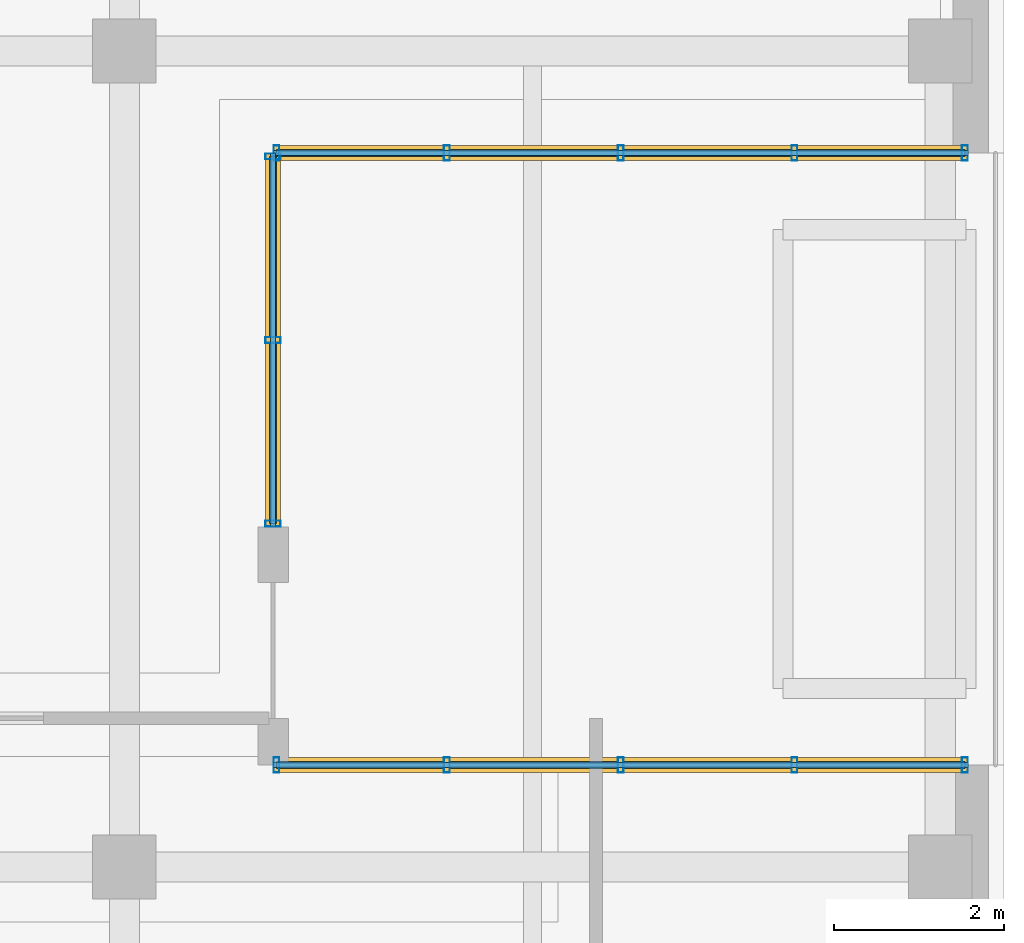
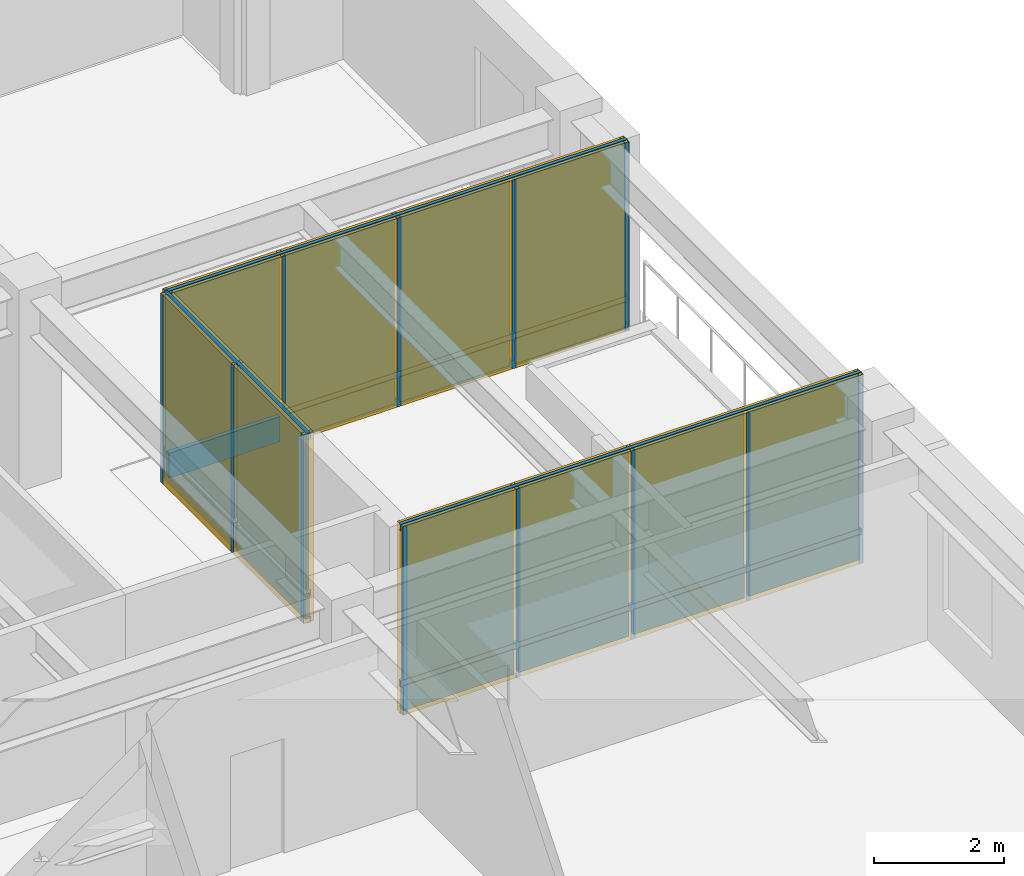
# One storey, part 9 of 13: 22 members, 20 plates, 3 curtain walls.
"""IFC4 building model written with IfcOpenShell, lengths in metres."""

import ifcopenshell
import ifcopenshell.guid

model = None  # the IFC model being written
_history = None  # IfcOwnerHistory: only IFC2X3 demands one
_inside = {}  # id of a spatial element -> (the spatial element, [elements in it])
_under = {}  # id of a project, library or spatial element -> (it, [spatial elements below it])
_declared = {}  # id of a project -> (the project, [libraries it declares])
_typed = {}  # id of a type object -> (the type object, [elements of that type])
_made_of = {}  # id of a material, layer set ... -> (it, [elements and type objects made of it])


def new_model(schema):
    """Start an empty IFC model of exactly this schema.

    Asked for "IFC4X3", IfcOpenShell would pick the latest addendum, in which some entities
    have other attributes; the version numbers below select the first issue.
    IFC2X3 requires an IfcOwnerHistory on every rooted entity: one is made here for all.
    """
    global model, _history
    if schema == "IFC4X3":
        model = ifcopenshell.file(schema_version=(4, 3, 0, 0))
    else:
        model = ifcopenshell.file(schema=schema)
    _inside.clear()
    _under.clear()
    _declared.clear()
    _typed.clear()
    _made_of.clear()
    _history = None
    if model.schema == "IFC2X3":
        org = make("IfcOrganization", Name="unknown")
        user = make(
            "IfcPersonAndOrganization",
            ThePerson=make("IfcPerson", FamilyName="unknown"),
            TheOrganization=org,
        )
        app = make(
            "IfcApplication",
            ApplicationDeveloper=org,
            Version="unknown",
            ApplicationFullName="unknown",
            ApplicationIdentifier="unknown",
        )
        _history = make(
            "IfcOwnerHistory",
            OwningUser=user,
            OwningApplication=app,
            ChangeAction="ADDED",
            CreationDate=0,
        )
    return model


def make(cls, **values):
    """One entity of the class cls with the attributes given. An attribute that is None is left unset."""
    return model.create_entity(
        cls, **{name: value for name, value in values.items() if value is not None}
    )


def rooted(cls, **values):
    """An entity with a GlobalId (a new one), such as an element, a storey or a relation."""
    return make(cls, GlobalId=ifcopenshell.guid.new(), OwnerHistory=_history, **values)


def si_unit(unit_type, name, prefix=None):
    """IfcSIUnit, for example si_unit("LENGTHUNIT", "METRE", prefix="MILLI")."""
    return make("IfcSIUnit", UnitType=unit_type, Prefix=prefix, Name=name)


def assignment(units):
    """IfcUnitAssignment: the units of a project."""
    return None if units is None else make("IfcUnitAssignment", Units=units)


def point(xyz):
    """IfcCartesianPoint."""
    return None if xyz is None else make("IfcCartesianPoint", Coordinates=xyz)


def direction(xyz):
    """IfcDirection."""
    return None if xyz is None else make("IfcDirection", DirectionRatios=xyz)


def frame(location, z_axis=None, x_axis=None):
    """IfcAxis2Placement3D, a coordinate frame: its origin and axes. An axis left out is left unset."""
    return make(
        "IfcAxis2Placement3D",
        Location=point(location),
        Axis=direction(z_axis),
        RefDirection=direction(x_axis),
    )


def frame_2d(location, x_axis=None):
    """IfcAxis2Placement2D, a coordinate frame in the plane: its origin and x axis."""
    return make(
        "IfcAxis2Placement2D", Location=point(location), RefDirection=direction(x_axis)
    )


def origin():
    """The frame at (0, 0, 0) with its axes left unset."""
    return frame((0.0, 0.0, 0.0))


def origin_2d():
    """The frame at (0, 0) in the plane with its x axis left unset."""
    return frame_2d((0.0, 0.0))


def place(relative_to, where):
    """IfcLocalPlacement: puts the frame where relative to a parent placement (None: the world)."""
    return make(
        "IfcLocalPlacement", PlacementRelTo=relative_to, RelativePlacement=where
    )


def context(
    kind, dimensions, precision=None, world=None, true_north=None, identifier=None
):
    """IfcGeometricRepresentationContext, for example the 3D "Model" context."""
    return make(
        "IfcGeometricRepresentationContext",
        ContextIdentifier=identifier,
        ContextType=kind,
        CoordinateSpaceDimension=dimensions,
        Precision=precision,
        WorldCoordinateSystem=world,
        TrueNorth=true_north,
    )


def subcontext(parent, identifier, kind, view, scale=None):
    """IfcGeometricRepresentationSubContext, for example "Body" below "Model"."""
    return make(
        "IfcGeometricRepresentationSubContext",
        ContextIdentifier=identifier,
        ContextType=kind,
        ParentContext=parent,
        TargetScale=scale,
        TargetView=view,
    )


def project(units=None, contexts=None):
    """IfcProject with its units and contexts."""
    return rooted(
        "IfcProject",
        Name="project",
        RepresentationContexts=contexts,
        UnitsInContext=assignment(units),
    )


def spatial(cls, under=None, at=None, **own):
    """A site, building, storey or space (cls), placed at a placement, below another one or the project."""
    s = rooted(cls, ObjectPlacement=at, **own)
    if under is not None:
        _under.setdefault(under.id(), (under, []))[1].append(s)
    return s


def profile(cls, at=None, kind="AREA", **sizes):
    """A parametric profile (cls). Its sizes go by their IFC names, for example OverallWidth=200.0."""
    return make(cls, ProfileType=kind, Position=at, **sizes)


def rectangle(**sizes):
    """IfcRectangleProfileDef."""
    return profile("IfcRectangleProfileDef", **sizes)


def hollow_rectangle(**sizes):
    """IfcRectangleHollowProfileDef."""
    return profile("IfcRectangleHollowProfileDef", **sizes)


def extrude(swept, where, along, depth):
    """IfcExtrudedAreaSolid: the profile swept, set in the frame where, extruded along a direction by depth."""
    return make(
        "IfcExtrudedAreaSolid",
        SweptArea=swept,
        Position=where,
        ExtrudedDirection=direction(along),
        Depth=depth,
    )


def shape(context_of_items, identifier, shape_type, items):
    """IfcShapeRepresentation: the items that make up one representation, for example the "Body"."""
    return make(
        "IfcShapeRepresentation",
        ContextOfItems=context_of_items,
        RepresentationIdentifier=identifier,
        RepresentationType=shape_type,
        Items=items,
    )


def material(Name=None, Category=None):
    """IfcMaterial."""
    return make("IfcMaterial", Name=Name, Category=Category)


def layer(
    of_material, thickness, ventilated=None, Name=None, Category=None, Priority=None
):
    """IfcMaterialLayer: one layer of a wall or slab, of a material (None: an air gap)."""
    return make(
        "IfcMaterialLayer",
        Material=of_material,
        LayerThickness=thickness,
        IsVentilated=ventilated,
        Name=Name,
        Category=Category,
        Priority=Priority,
    )


def layer_set(layers, Name=None):
    """IfcMaterialLayerSet."""
    return make("IfcMaterialLayerSet", MaterialLayers=layers, LayerSetName=Name)


def material_profile(
    of_material, cross_section, Name=None, Category=None, Priority=None
):
    """IfcMaterialProfile: a cross section and its material."""
    return make(
        "IfcMaterialProfile",
        Name=Name,
        Material=of_material,
        Profile=cross_section,
        Priority=Priority,
        Category=Category,
    )


def profile_set(profiles, Name=None, composite=None):
    """IfcMaterialProfileSet."""
    return make(
        "IfcMaterialProfileSet",
        Name=Name,
        MaterialProfiles=profiles,
        CompositeProfile=composite,
    )


def made_of(thing, what):
    """Note that an element or type object is made of a material, layer set ...; save() writes the relation."""
    if what is not None:
        _made_of.setdefault(what.id(), (what, []))[1].append(thing)
    return thing


def type_object(cls, material=None, **own):
    """A type object (cls), such as IfcWallType, which elements share."""
    return made_of(rooted(cls, **own), material)


def element(
    cls,
    number,
    at=None,
    inside=None,
    cuts=None,
    type_object=None,
    material=None,
    context=None,
    identifier="Body",
    shape_type=None,
    held_by="IfcProductDefinitionShape",
    body=None,
    shapes=None,
    **own,
):
    """One element of the class cls, such as IfcWall. Its Tag is "e" and its number.

    at: its placement. inside: the storey or other place that contains it. cuts: it is an
    opening in that element (IfcRelVoidsElement). A single representation is given by context,
    identifier, shape_type and body (its items); several are given by shapes. held_by: the class
    of the entity that holds the representations. save() writes the other relations.
    """
    e = rooted(cls, Tag="e%d" % number, ObjectPlacement=at, **own)
    if body is not None:
        shapes = [shape(context, identifier, shape_type, body)]
    if shapes is not None:
        e.Representation = make(held_by, Representations=shapes)
    if inside is not None:
        _inside.setdefault(inside.id(), (inside, []))[1].append(e)
    if cuts is not None:
        rooted(
            "IfcRelVoidsElement", RelatingBuildingElement=cuts, RelatedOpeningElement=e
        )
    if type_object is not None:
        _typed.setdefault(type_object.id(), (type_object, []))[1].append(e)
    return made_of(e, material)


def aggregate(whole, parts):
    """IfcRelAggregates: a whole, such as a stair, and the parts it consists of."""
    return rooted("IfcRelAggregates", RelatingObject=whole, RelatedObjects=parts)


def save(model, path):
    """Write the relations noted so far, then the file.

    IfcRelAggregates (storeys below a building ...), IfcRelContainedInSpatialStructure (elements
    in a storey), IfcRelDefinesByType, IfcRelAssociatesMaterial and IfcRelDeclares: one each for
    every whole, place, type object, material and project.
    """
    for whole, parts in _under.values():
        aggregate(whole, parts)
    for where, things in _inside.values():
        rooted(
            "IfcRelContainedInSpatialStructure",
            RelatedElements=things,
            RelatingStructure=where,
        )
    for kind, things in _typed.values():
        rooted("IfcRelDefinesByType", RelatedObjects=things, RelatingType=kind)
    for what, things in _made_of.values():
        rooted("IfcRelAssociatesMaterial", RelatedObjects=things, RelatingMaterial=what)
    for by, libraries in _declared.values():
        rooted("IfcRelDeclares", RelatingContext=by, RelatedDefinitions=libraries)
    model.write(path)


model = new_model("IFC4")

# Units and contexts
model_context = context("Model", 3, precision=1e-05, world=origin(), true_north=direction((0.0, 1.0)))
body_context = subcontext(model_context, "Body", "Model", "MODEL_VIEW")
ifc_project = project(units=[si_unit("LENGTHUNIT", "METRE"), si_unit("AREAUNIT", "SQUARE_METRE"), si_unit("VOLUMEUNIT", "CUBIC_METRE"), si_unit("PLANEANGLEUNIT", "RADIAN"), si_unit("MASSUNIT", "GRAM", prefix="KILO")], contexts=[model_context])

# Member
ifc_material_1 = material(Name="Anodized Aluminium 6063-T6", Category="aluminium")
ifc_material_profile_1 = material_profile(ifc_material_1, hollow_rectangle(XDim=0.070068359375, YDim=0.179931640625, WallThickness=0.00390625, at=origin_2d()), Name="Anodized Aluminium 6063-T6")
ifc_profile_set_1 = profile_set([ifc_material_profile_1], Name="Anodized Aluminium 6063-T6")
member_type_1 = type_object("IfcMemberType", Name="Curtain Wall Mullion 180", PredefinedType="MULLION", material=ifc_profile_set_1)
site_placement = place(None, origin())
building_placement = place(site_placement, origin())
storey_placement = place(building_placement, frame((0.0, 0.0, 277.199951171875)))
member_1_placement = place(storey_placement, frame((39.43994140625, 27.60009765625, 0.0), z_axis=(0.0, 0.0, 1.0), x_axis=(1.0, 0.0, 0.0)))
member_1 = element("IfcMember", 1, at=member_1_placement, type_object=member_type_1, Name="Curtain Wall Mullion CW-L70-SGN-M01", PredefinedType="MULLION", context=body_context, shape_type="SweptSolid", body=[
    extrude(hollow_rectangle(XDim=0.070068359375, YDim=0.179931640625, WallThickness=0.00390625, at=origin_2d()), origin(), (0.0, 0.0, 1.0), 3.5400390625),
])

member_2_placement = place(storey_placement, frame((41.445068359375, 27.60009765625, 0.0), z_axis=(0.0, 0.0, 1.0), x_axis=(1.0, 0.0, 0.0)))
member_2 = element("IfcMember", 2, at=member_2_placement, type_object=member_type_1, Name="Curtain Wall Mullion CW-L70-SGN-M02", PredefinedType="MULLION", context=body_context, shape_type="SweptSolid", body=[
    extrude(hollow_rectangle(XDim=0.070068359375, YDim=0.179931640625, WallThickness=0.00390625, at=origin_2d()), origin(), (0.0, 0.0, 1.0), 3.5400390625),
])

member_3_placement = place(storey_placement, frame((43.489990234375, 27.60009765625, 0.0), z_axis=(0.0, 0.0, 1.0), x_axis=(1.0, 0.0, 0.0)))
member_3 = element("IfcMember", 3, at=member_3_placement, type_object=member_type_1, Name="Curtain Wall Mullion CW-L70-SGN-M03", PredefinedType="MULLION", context=body_context, shape_type="SweptSolid", body=[
    extrude(hollow_rectangle(XDim=0.070068359375, YDim=0.179931640625, WallThickness=0.00390625, at=origin_2d()), origin(), (0.0, 0.0, 1.0), 3.5400390625),
])

member_4_placement = place(storey_placement, frame((45.534912109375, 27.60009765625, 0.0), z_axis=(0.0, 0.0, 1.0), x_axis=(1.0, 0.0, 0.0)))
member_4 = element("IfcMember", 4, at=member_4_placement, type_object=member_type_1, Name="Curtain Wall Mullion CW-L70-SGN-M04", PredefinedType="MULLION", context=body_context, shape_type="SweptSolid", body=[
    extrude(hollow_rectangle(XDim=0.070068359375, YDim=0.179931640625, WallThickness=0.00390625, at=origin_2d()), origin(), (0.0, 0.0, 1.0), 3.5400390625),
])

member_5_placement = place(storey_placement, frame((47.5400390625, 27.60009765625, 0.0), z_axis=(0.0, 0.0, 1.0), x_axis=(1.0, 0.0, 0.0)))
member_5 = element("IfcMember", 5, at=member_5_placement, type_object=member_type_1, Name="Curtain Wall Mullion CW-L70-SGN-M05", PredefinedType="MULLION", context=body_context, shape_type="SweptSolid", body=[
    extrude(hollow_rectangle(XDim=0.070068359375, YDim=0.179931640625, WallThickness=0.00390625, at=origin_2d()), origin(), (0.0, 0.0, 1.0), 3.5400390625),
])

member_6_placement = place(storey_placement, frame((39.43994140625, 20.39990234375, 0.0), z_axis=(0.0, 0.0, 1.0), x_axis=(1.0, 0.0, 0.0)))
member_6 = element("IfcMember", 6, at=member_6_placement, type_object=member_type_1, Name="Curtain Wall Mullion CW-L70-SGS-M01", PredefinedType="MULLION", context=body_context, shape_type="SweptSolid", body=[
    extrude(hollow_rectangle(XDim=0.070068359375, YDim=0.179931640625, WallThickness=0.00390625, at=origin_2d()), origin(), (0.0, 0.0, 1.0), 3.5400390625),
])

member_7_placement = place(storey_placement, frame((41.445068359375, 20.39990234375, 0.0), z_axis=(0.0, 0.0, 1.0), x_axis=(1.0, 0.0, 0.0)))
member_7 = element("IfcMember", 7, at=member_7_placement, type_object=member_type_1, Name="Curtain Wall Mullion CW-L70-SGS-M02", PredefinedType="MULLION", context=body_context, shape_type="SweptSolid", body=[
    extrude(hollow_rectangle(XDim=0.070068359375, YDim=0.179931640625, WallThickness=0.00390625, at=origin_2d()), origin(), (0.0, 0.0, 1.0), 3.5400390625),
])

member_8_placement = place(storey_placement, frame((43.489990234375, 20.39990234375, 0.0), z_axis=(0.0, 0.0, 1.0), x_axis=(1.0, 0.0, 0.0)))
member_8 = element("IfcMember", 8, at=member_8_placement, type_object=member_type_1, Name="Curtain Wall Mullion CW-L70-SGS-M03", PredefinedType="MULLION", context=body_context, shape_type="SweptSolid", body=[
    extrude(hollow_rectangle(XDim=0.070068359375, YDim=0.179931640625, WallThickness=0.00390625, at=origin_2d()), origin(), (0.0, 0.0, 1.0), 3.5400390625),
])

member_9_placement = place(storey_placement, frame((45.534912109375, 20.39990234375, 0.0), z_axis=(0.0, 0.0, 1.0), x_axis=(1.0, 0.0, 0.0)))
member_9 = element("IfcMember", 9, at=member_9_placement, type_object=member_type_1, Name="Curtain Wall Mullion CW-L70-SGS-M04", PredefinedType="MULLION", context=body_context, shape_type="SweptSolid", body=[
    extrude(hollow_rectangle(XDim=0.070068359375, YDim=0.179931640625, WallThickness=0.00390625, at=origin_2d()), origin(), (0.0, 0.0, 1.0), 3.5400390625),
])

member_10_placement = place(storey_placement, frame((47.5400390625, 20.39990234375, 0.0), z_axis=(0.0, 0.0, 1.0), x_axis=(1.0, 0.0, 0.0)))
member_10 = element("IfcMember", 10, at=member_10_placement, type_object=member_type_1, Name="Curtain Wall Mullion CW-L70-SGS-M05", PredefinedType="MULLION", context=body_context, shape_type="SweptSolid", body=[
    extrude(hollow_rectangle(XDim=0.070068359375, YDim=0.179931640625, WallThickness=0.00390625, at=origin_2d()), origin(), (0.0, 0.0, 1.0), 3.5400390625),
])

member_11_placement = place(storey_placement, frame((39.39990234375, 23.239990234375, 0.0), z_axis=(0.0, 0.0, 1.0), x_axis=(0.0, 1.0, 0.0)))
member_11 = element("IfcMember", 11, at=member_11_placement, type_object=member_type_1, Name="Curtain Wall Mullion CW-L70-SGW-M01", PredefinedType="MULLION", context=body_context, shape_type="SweptSolid", body=[
    extrude(hollow_rectangle(XDim=0.070068359375, YDim=0.179931640625, WallThickness=0.00390625, at=origin_2d()), origin(), (0.0, 0.0, 1.0), 3.5400390625),
])

member_12_placement = place(storey_placement, frame((39.39990234375, 25.39990234375, 0.0), z_axis=(0.0, 0.0, 1.0), x_axis=(0.0, 1.0, 0.0)))
member_12 = element("IfcMember", 12, at=member_12_placement, type_object=member_type_1, Name="Curtain Wall Mullion CW-L70-SGW-M02", PredefinedType="MULLION", context=body_context, shape_type="SweptSolid", body=[
    extrude(hollow_rectangle(XDim=0.070068359375, YDim=0.179931640625, WallThickness=0.00390625, at=origin_2d()), origin(), (0.0, 0.0, 1.0), 3.5400390625),
])

member_13_placement = place(storey_placement, frame((39.39990234375, 27.56005859375, 0.0), z_axis=(0.0, 0.0, 1.0), x_axis=(0.0, 1.0, 0.0)))
member_13 = element("IfcMember", 13, at=member_13_placement, type_object=member_type_1, Name="Curtain Wall Mullion CW-L70-SGW-M03", PredefinedType="MULLION", context=body_context, shape_type="SweptSolid", body=[
    extrude(hollow_rectangle(XDim=0.070068359375, YDim=0.179931640625, WallThickness=0.00390625, at=origin_2d()), origin(), (0.0, 0.0, 1.0), 3.5400390625),
])

ifc_material_profile_2 = material_profile(ifc_material_1, hollow_rectangle(XDim=0.06005859375, YDim=0.1201171875, WallThickness=0.00341796875, at=origin_2d()), Name="Anodized Aluminium 6063-T6")
ifc_profile_set_2 = profile_set([ifc_material_profile_2], Name="Anodized Aluminium 6063-T6")
member_type_2 = type_object("IfcMemberType", Name="Curtain Wall Transom 120", PredefinedType="USERDEFINED", material=ifc_profile_set_2)
member_14_placement = place(storey_placement, frame((39.39990234375, 27.60009765625, 0.050048828125), z_axis=(1.0, 0.0, 0.0), x_axis=(0.0, 1.0, 0.0)))
member_14 = element("IfcMember", 14, at=member_14_placement, type_object=member_type_2, Name="Curtain Wall Transom CW-L70-SGN-T01", ObjectType="TRANSOM", PredefinedType="USERDEFINED", context=body_context, shape_type="SweptSolid", body=[
    extrude(hollow_rectangle(XDim=0.06005859375, YDim=0.1201171875, WallThickness=0.00341796875, at=origin_2d()), origin(), (0.0, 0.0, 1.0), 8.18017578125),
])

member_15_placement = place(storey_placement, frame((39.39990234375, 27.60009765625, 0.550048828125), z_axis=(1.0, 0.0, 0.0), x_axis=(0.0, 1.0, 0.0)))
member_15 = element("IfcMember", 15, at=member_15_placement, type_object=member_type_2, Name="Curtain Wall Transom CW-L70-SGN-T02", ObjectType="TRANSOM", PredefinedType="USERDEFINED", context=body_context, shape_type="SweptSolid", body=[
    extrude(hollow_rectangle(XDim=0.06005859375, YDim=0.1201171875, WallThickness=0.00341796875, at=origin_2d()), origin(), (0.0, 0.0, 1.0), 8.18017578125),
])

member_16_placement = place(storey_placement, frame((39.39990234375, 27.60009765625, 3.489990234375), z_axis=(1.0, 0.0, 0.0), x_axis=(0.0, 1.0, 0.0)))
member_16 = element("IfcMember", 16, at=member_16_placement, type_object=member_type_2, Name="Curtain Wall Transom CW-L70-SGN-T03", ObjectType="TRANSOM", PredefinedType="USERDEFINED", context=body_context, shape_type="SweptSolid", body=[
    extrude(hollow_rectangle(XDim=0.06005859375, YDim=0.1201171875, WallThickness=0.00341796875, at=origin_2d()), origin(), (0.0, 0.0, 1.0), 8.18017578125),
])

member_17_placement = place(storey_placement, frame((39.39990234375, 20.39990234375, 0.050048828125), z_axis=(1.0, 0.0, 0.0), x_axis=(0.0, 1.0, 0.0)))
member_17 = element("IfcMember", 17, at=member_17_placement, type_object=member_type_2, Name="Curtain Wall Transom CW-L70-SGS-T01", ObjectType="TRANSOM", PredefinedType="USERDEFINED", context=body_context, shape_type="SweptSolid", body=[
    extrude(hollow_rectangle(XDim=0.06005859375, YDim=0.1201171875, WallThickness=0.00341796875, at=origin_2d()), origin(), (0.0, 0.0, 1.0), 8.18017578125),
])

member_18_placement = place(storey_placement, frame((39.39990234375, 20.39990234375, 0.550048828125), z_axis=(1.0, 0.0, 0.0), x_axis=(0.0, 1.0, 0.0)))
member_18 = element("IfcMember", 18, at=member_18_placement, type_object=member_type_2, Name="Curtain Wall Transom CW-L70-SGS-T02", ObjectType="TRANSOM", PredefinedType="USERDEFINED", context=body_context, shape_type="SweptSolid", body=[
    extrude(hollow_rectangle(XDim=0.06005859375, YDim=0.1201171875, WallThickness=0.00341796875, at=origin_2d()), origin(), (0.0, 0.0, 1.0), 8.18017578125),
])

member_19_placement = place(storey_placement, frame((39.39990234375, 20.39990234375, 3.489990234375), z_axis=(1.0, 0.0, 0.0), x_axis=(0.0, 1.0, 0.0)))
member_19 = element("IfcMember", 19, at=member_19_placement, type_object=member_type_2, Name="Curtain Wall Transom CW-L70-SGS-T03", ObjectType="TRANSOM", PredefinedType="USERDEFINED", context=body_context, shape_type="SweptSolid", body=[
    extrude(hollow_rectangle(XDim=0.06005859375, YDim=0.1201171875, WallThickness=0.00341796875, at=origin_2d()), origin(), (0.0, 0.0, 1.0), 8.18017578125),
])

member_20_placement = place(storey_placement, frame((39.39990234375, 23.199951171875, 0.050048828125), z_axis=(0.0, 1.0, 0.0), x_axis=(-1.0, 0.0, 0.0)))
member_20 = element("IfcMember", 20, at=member_20_placement, type_object=member_type_2, Name="Curtain Wall Transom CW-L70-SGW-T01", ObjectType="TRANSOM", PredefinedType="USERDEFINED", context=body_context, shape_type="SweptSolid", body=[
    extrude(hollow_rectangle(XDim=0.06005859375, YDim=0.1201171875, WallThickness=0.00341796875, at=origin_2d()), origin(), (0.0, 0.0, 1.0), 4.400146484375),
])

member_21_placement = place(storey_placement, frame((39.39990234375, 23.199951171875, 0.550048828125), z_axis=(0.0, 1.0, 0.0), x_axis=(-1.0, 0.0, 0.0)))
member_21 = element("IfcMember", 21, at=member_21_placement, type_object=member_type_2, Name="Curtain Wall Transom CW-L70-SGW-T02", ObjectType="TRANSOM", PredefinedType="USERDEFINED", context=body_context, shape_type="SweptSolid", body=[
    extrude(hollow_rectangle(XDim=0.06005859375, YDim=0.1201171875, WallThickness=0.00341796875, at=origin_2d()), origin(), (0.0, 0.0, 1.0), 4.400146484375),
])

member_22_placement = place(storey_placement, frame((39.39990234375, 23.199951171875, 3.489990234375), z_axis=(0.0, 1.0, 0.0), x_axis=(-1.0, 0.0, 0.0)))
member_22 = element("IfcMember", 22, at=member_22_placement, type_object=member_type_2, Name="Curtain Wall Transom CW-L70-SGW-T03", ObjectType="TRANSOM", PredefinedType="USERDEFINED", context=body_context, shape_type="SweptSolid", body=[
    extrude(hollow_rectangle(XDim=0.06005859375, YDim=0.1201171875, WallThickness=0.00341796875, at=origin_2d()), origin(), (0.0, 0.0, 1.0), 4.400146484375),
])

# Plate
ifc_material_2 = material(Name="Bird-Friendly Fritted Triple Glazing", Category="glass")
ifc_layer_1 = layer(ifc_material_2, 0.052001953125, Name="Bird-Friendly Fritted Triple Glazing")
ifc_layer_set_1 = layer_set([ifc_layer_1], Name="Bird-Friendly Fritted Triple Glazing")
plate_type_1 = type_object("IfcPlateType", Name="Plate CWGlazing 52", PredefinedType="CURTAIN_PANEL", material=ifc_layer_set_1)
plate_1_placement = place(storey_placement, frame((40.422607421875, 27.60009765625, 0.59033203125), z_axis=(0.0, 0.0, 1.0), x_axis=(1.0, 0.0, 0.0)))
plate_1 = element("IfcPlate", 23, at=plate_1_placement, type_object=plate_type_1, Name="Vision Glazing Panel CW-L70-SGN-GL01", PredefinedType="CURTAIN_PANEL", context=body_context, shape_type="SweptSolid", body=[
    extrude(rectangle(XDim=1.965087890625, YDim=0.052001953125, at=origin_2d()), origin(), (0.0, 0.0, 1.0), 2.909912109375),
])

plate_2_placement = place(storey_placement, frame((42.467529296875, 27.60009765625, 0.59033203125), z_axis=(0.0, 0.0, 1.0), x_axis=(1.0, 0.0, 0.0)))
plate_2 = element("IfcPlate", 24, at=plate_2_placement, type_object=plate_type_1, Name="Vision Glazing Panel CW-L70-SGN-GL02", PredefinedType="CURTAIN_PANEL", context=body_context, shape_type="SweptSolid", body=[
    extrude(rectangle(XDim=1.965087890625, YDim=0.052001953125, at=origin_2d()), origin(), (0.0, 0.0, 1.0), 2.909912109375),
])

plate_3_placement = place(storey_placement, frame((44.512451171875, 27.60009765625, 0.59033203125), z_axis=(0.0, 0.0, 1.0), x_axis=(1.0, 0.0, 0.0)))
plate_3 = element("IfcPlate", 25, at=plate_3_placement, type_object=plate_type_1, Name="Vision Glazing Panel CW-L70-SGN-GL03", PredefinedType="CURTAIN_PANEL", context=body_context, shape_type="SweptSolid", body=[
    extrude(rectangle(XDim=1.965087890625, YDim=0.052001953125, at=origin_2d()), origin(), (0.0, 0.0, 1.0), 2.909912109375),
])

plate_4_placement = place(storey_placement, frame((46.5576171875, 27.60009765625, 0.59033203125), z_axis=(0.0, 0.0, 1.0), x_axis=(1.0, 0.0, 0.0)))
plate_4 = element("IfcPlate", 26, at=plate_4_placement, type_object=plate_type_1, Name="Vision Glazing Panel CW-L70-SGN-GL04", PredefinedType="CURTAIN_PANEL", context=body_context, shape_type="SweptSolid", body=[
    extrude(rectangle(XDim=1.965087890625, YDim=0.052001953125, at=origin_2d()), origin(), (0.0, 0.0, 1.0), 2.909912109375),
])

plate_5_placement = place(storey_placement, frame((40.422607421875, 20.39990234375, 0.59033203125), z_axis=(0.0, 0.0, 1.0), x_axis=(1.0, 0.0, 0.0)))
plate_5 = element("IfcPlate", 27, at=plate_5_placement, type_object=plate_type_1, Name="Vision Glazing Panel CW-L70-SGS-GL01", PredefinedType="CURTAIN_PANEL", context=body_context, shape_type="SweptSolid", body=[
    extrude(rectangle(XDim=1.965087890625, YDim=0.052001953125, at=origin_2d()), origin(), (0.0, 0.0, 1.0), 2.909912109375),
])

plate_6_placement = place(storey_placement, frame((42.467529296875, 20.39990234375, 0.59033203125), z_axis=(0.0, 0.0, 1.0), x_axis=(1.0, 0.0, 0.0)))
plate_6 = element("IfcPlate", 28, at=plate_6_placement, type_object=plate_type_1, Name="Vision Glazing Panel CW-L70-SGS-GL02", PredefinedType="CURTAIN_PANEL", context=body_context, shape_type="SweptSolid", body=[
    extrude(rectangle(XDim=1.965087890625, YDim=0.052001953125, at=origin_2d()), origin(), (0.0, 0.0, 1.0), 2.909912109375),
])

plate_7_placement = place(storey_placement, frame((44.512451171875, 20.39990234375, 0.59033203125), z_axis=(0.0, 0.0, 1.0), x_axis=(1.0, 0.0, 0.0)))
plate_7 = element("IfcPlate", 29, at=plate_7_placement, type_object=plate_type_1, Name="Vision Glazing Panel CW-L70-SGS-GL03", PredefinedType="CURTAIN_PANEL", context=body_context, shape_type="SweptSolid", body=[
    extrude(rectangle(XDim=1.965087890625, YDim=0.052001953125, at=origin_2d()), origin(), (0.0, 0.0, 1.0), 2.909912109375),
])

plate_8_placement = place(storey_placement, frame((46.5576171875, 20.39990234375, 0.59033203125), z_axis=(0.0, 0.0, 1.0), x_axis=(1.0, 0.0, 0.0)))
plate_8 = element("IfcPlate", 30, at=plate_8_placement, type_object=plate_type_1, Name="Vision Glazing Panel CW-L70-SGS-GL04", PredefinedType="CURTAIN_PANEL", context=body_context, shape_type="SweptSolid", body=[
    extrude(rectangle(XDim=1.965087890625, YDim=0.052001953125, at=origin_2d()), origin(), (0.0, 0.0, 1.0), 2.909912109375),
])

plate_9_placement = place(storey_placement, frame((39.39990234375, 24.300048828125, 0.59033203125), z_axis=(0.0, 0.0, 1.0), x_axis=(0.0, 1.0, 0.0)))
plate_9 = element("IfcPlate", 31, at=plate_9_placement, type_object=plate_type_1, Name="Vision Glazing Panel CW-L70-SGW-GL01", PredefinedType="CURTAIN_PANEL", context=body_context, shape_type="SweptSolid", body=[
    extrude(rectangle(XDim=2.1201171875, YDim=0.052001953125, at=origin_2d()), origin(), (0.0, 0.0, 1.0), 2.909912109375),
])

plate_10_placement = place(storey_placement, frame((39.39990234375, 26.5, 0.59033203125), z_axis=(0.0, 0.0, 1.0), x_axis=(0.0, 1.0, 0.0)))
plate_10 = element("IfcPlate", 32, at=plate_10_placement, type_object=plate_type_1, Name="Vision Glazing Panel CW-L70-SGW-GL02", PredefinedType="CURTAIN_PANEL", context=body_context, shape_type="SweptSolid", body=[
    extrude(rectangle(XDim=2.1201171875, YDim=0.052001953125, at=origin_2d()), origin(), (0.0, 0.0, 1.0), 2.909912109375),
])

ifc_material_3 = material(Name="Insulated Aluminium Spandrel Panel", Category="aluminium")
ifc_layer_2 = layer(ifc_material_3, 0.080078125, Name="Insulated Aluminium Spandrel Panel")
ifc_layer_set_2 = layer_set([ifc_layer_2], Name="Insulated Aluminium Spandrel Panel")
plate_type_2 = type_object("IfcPlateType", Name="Plate CWSpandrel 80", PredefinedType="SHEET", material=ifc_layer_set_2)
plate_11_placement = place(storey_placement, frame((40.422607421875, 27.60009765625, 0.0400390625), z_axis=(0.0, 0.0, 1.0), x_axis=(1.0, 0.0, 0.0)))
plate_11 = element("IfcPlate", 33, at=plate_11_placement, type_object=plate_type_2, Name="Spandrel Panel CW-L70-SGN-SP01", PredefinedType="SHEET", context=body_context, shape_type="SweptSolid", body=[
    extrude(rectangle(XDim=1.965087890625, YDim=0.080078125, at=origin_2d()), origin(), (0.0, 0.0, 1.0), 0.469970703125),
])

plate_12_placement = place(storey_placement, frame((42.467529296875, 27.60009765625, 0.0400390625), z_axis=(0.0, 0.0, 1.0), x_axis=(1.0, 0.0, 0.0)))
plate_12 = element("IfcPlate", 34, at=plate_12_placement, type_object=plate_type_2, Name="Spandrel Panel CW-L70-SGN-SP02", PredefinedType="SHEET", context=body_context, shape_type="SweptSolid", body=[
    extrude(rectangle(XDim=1.965087890625, YDim=0.080078125, at=origin_2d()), origin(), (0.0, 0.0, 1.0), 0.469970703125),
])

plate_13_placement = place(storey_placement, frame((44.512451171875, 27.60009765625, 0.0400390625), z_axis=(0.0, 0.0, 1.0), x_axis=(1.0, 0.0, 0.0)))
plate_13 = element("IfcPlate", 35, at=plate_13_placement, type_object=plate_type_2, Name="Spandrel Panel CW-L70-SGN-SP03", PredefinedType="SHEET", context=body_context, shape_type="SweptSolid", body=[
    extrude(rectangle(XDim=1.965087890625, YDim=0.080078125, at=origin_2d()), origin(), (0.0, 0.0, 1.0), 0.469970703125),
])

plate_14_placement = place(storey_placement, frame((46.5576171875, 27.60009765625, 0.0400390625), z_axis=(0.0, 0.0, 1.0), x_axis=(1.0, 0.0, 0.0)))
plate_14 = element("IfcPlate", 36, at=plate_14_placement, type_object=plate_type_2, Name="Spandrel Panel CW-L70-SGN-SP04", PredefinedType="SHEET", context=body_context, shape_type="SweptSolid", body=[
    extrude(rectangle(XDim=1.965087890625, YDim=0.080078125, at=origin_2d()), origin(), (0.0, 0.0, 1.0), 0.469970703125),
])

plate_15_placement = place(storey_placement, frame((40.422607421875, 20.39990234375, 0.0400390625), z_axis=(0.0, 0.0, 1.0), x_axis=(1.0, 0.0, 0.0)))
plate_15 = element("IfcPlate", 37, at=plate_15_placement, type_object=plate_type_2, Name="Spandrel Panel CW-L70-SGS-SP01", PredefinedType="SHEET", context=body_context, shape_type="SweptSolid", body=[
    extrude(rectangle(XDim=1.965087890625, YDim=0.080078125, at=origin_2d()), origin(), (0.0, 0.0, 1.0), 0.469970703125),
])

plate_16_placement = place(storey_placement, frame((42.467529296875, 20.39990234375, 0.0400390625), z_axis=(0.0, 0.0, 1.0), x_axis=(1.0, 0.0, 0.0)))
plate_16 = element("IfcPlate", 38, at=plate_16_placement, type_object=plate_type_2, Name="Spandrel Panel CW-L70-SGS-SP02", PredefinedType="SHEET", context=body_context, shape_type="SweptSolid", body=[
    extrude(rectangle(XDim=1.965087890625, YDim=0.080078125, at=origin_2d()), origin(), (0.0, 0.0, 1.0), 0.469970703125),
])

plate_17_placement = place(storey_placement, frame((44.512451171875, 20.39990234375, 0.0400390625), z_axis=(0.0, 0.0, 1.0), x_axis=(1.0, 0.0, 0.0)))
plate_17 = element("IfcPlate", 39, at=plate_17_placement, type_object=plate_type_2, Name="Spandrel Panel CW-L70-SGS-SP03", PredefinedType="SHEET", context=body_context, shape_type="SweptSolid", body=[
    extrude(rectangle(XDim=1.965087890625, YDim=0.080078125, at=origin_2d()), origin(), (0.0, 0.0, 1.0), 0.469970703125),
])

plate_18_placement = place(storey_placement, frame((46.5576171875, 20.39990234375, 0.0400390625), z_axis=(0.0, 0.0, 1.0), x_axis=(1.0, 0.0, 0.0)))
plate_18 = element("IfcPlate", 40, at=plate_18_placement, type_object=plate_type_2, Name="Spandrel Panel CW-L70-SGS-SP04", PredefinedType="SHEET", context=body_context, shape_type="SweptSolid", body=[
    extrude(rectangle(XDim=1.965087890625, YDim=0.080078125, at=origin_2d()), origin(), (0.0, 0.0, 1.0), 0.469970703125),
])

plate_19_placement = place(storey_placement, frame((39.39990234375, 24.300048828125, 0.0400390625), z_axis=(0.0, 0.0, 1.0), x_axis=(0.0, 1.0, 0.0)))
plate_19 = element("IfcPlate", 41, at=plate_19_placement, type_object=plate_type_2, Name="Spandrel Panel CW-L70-SGW-SP01", PredefinedType="SHEET", context=body_context, shape_type="SweptSolid", body=[
    extrude(rectangle(XDim=2.1201171875, YDim=0.080078125, at=origin_2d()), origin(), (0.0, 0.0, 1.0), 0.469970703125),
])

plate_20_placement = place(storey_placement, frame((39.39990234375, 26.5, 0.0400390625), z_axis=(0.0, 0.0, 1.0), x_axis=(0.0, 1.0, 0.0)))
plate_20 = element("IfcPlate", 42, at=plate_20_placement, type_object=plate_type_2, Name="Spandrel Panel CW-L70-SGW-SP02", PredefinedType="SHEET", context=body_context, shape_type="SweptSolid", body=[
    extrude(rectangle(XDim=2.1201171875, YDim=0.080078125, at=origin_2d()), origin(), (0.0, 0.0, 1.0), 0.469970703125),
])

# Site, building, storey
site = spatial("IfcSite", under=ifc_project, at=site_placement, CompositionType="ELEMENT")
building = spatial("IfcBuilding", under=site, at=building_placement, Name="Norrvale University Quadrangle", CompositionType="ELEMENT")
storey = spatial("IfcBuildingStorey", under=building, at=storey_placement, Name="L70", CompositionType="ELEMENT", Elevation=277.199951171875)

# Curtain wall
ifc_material_4 = material(Name="Anodized Aluminium and Triple Glazing", Category="glass")
curtain_wall_type = type_object("IfcCurtainWallType", Name="Curtain Wall System 2 Sky Garden", PredefinedType="NOTDEFINED", material=ifc_material_4)
curtain_wall_1_placement = place(storey_placement, frame((39.39990234375, 27.60009765625, 0.0), z_axis=(0.0, 0.0, 1.0), x_axis=(1.0, 0.0, 0.0)))
curtain_wall_1 = element("IfcCurtainWall", 43, at=curtain_wall_1_placement, inside=storey, type_object=curtain_wall_type, Name="Curtain Wall CW System 2 Sky Garden CW-L70-SGN", PredefinedType="NOTDEFINED", context=body_context, shape_type="SweptSolid", body=[
    extrude(rectangle(XDim=8.18017578125, YDim=0.179931640625, at=frame_2d((4.090087890625, 0.0))), origin(), (0.0, 0.0, 1.0), 3.5400390625),
])

aggregate(curtain_wall_1, [member_1, member_2, member_3, member_4, member_5, member_14, member_15, member_16, plate_11, plate_1, plate_12, plate_2, plate_13, plate_3, plate_14, plate_4])

curtain_wall_2_placement = place(storey_placement, frame((39.39990234375, 20.39990234375, 0.0), z_axis=(0.0, 0.0, 1.0), x_axis=(1.0, 0.0, 0.0)))
curtain_wall_2 = element("IfcCurtainWall", 44, at=curtain_wall_2_placement, inside=storey, type_object=curtain_wall_type, Name="Curtain Wall CW System 2 Sky Garden CW-L70-SGS", PredefinedType="NOTDEFINED", context=body_context, shape_type="SweptSolid", body=[
    extrude(rectangle(XDim=8.18017578125, YDim=0.179931640625, at=frame_2d((4.090087890625, 0.0))), origin(), (0.0, 0.0, 1.0), 3.5400390625),
])

aggregate(curtain_wall_2, [member_6, member_7, member_8, member_9, member_10, member_17, member_18, member_19, plate_15, plate_5, plate_16, plate_6, plate_17, plate_7, plate_18, plate_8])

curtain_wall_3_placement = place(storey_placement, frame((39.39990234375, 23.199951171875, 0.0), z_axis=(0.0, 0.0, 1.0), x_axis=(0.0, 1.0, 0.0)))
curtain_wall_3 = element("IfcCurtainWall", 45, at=curtain_wall_3_placement, inside=storey, type_object=curtain_wall_type, Name="Curtain Wall CW System 2 Sky Garden CW-L70-SGW", PredefinedType="NOTDEFINED", context=body_context, shape_type="SweptSolid", body=[
    extrude(rectangle(XDim=4.400146484375, YDim=0.179931640625, at=frame_2d((2.2001953125, 0.0))), origin(), (0.0, 0.0, 1.0), 3.5400390625),
])

aggregate(curtain_wall_3, [member_11, member_12, member_13, member_20, member_21, member_22, plate_19, plate_9, plate_20, plate_10])

save(model, "model.ifc")
